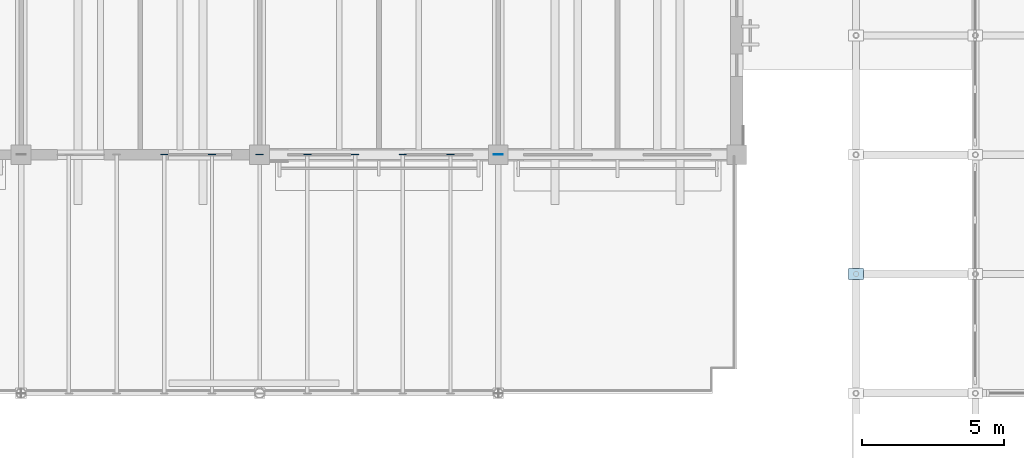
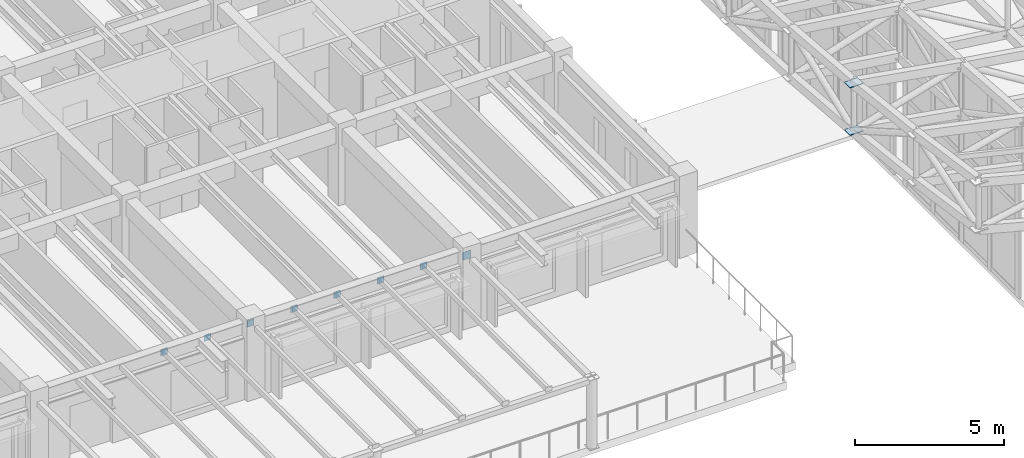
# One storey, part 76 of 111: 10 plates.
"""IFC4 building model written with IfcOpenShell, lengths in metres."""

from ifc_helpers import new_model, si_unit, direction, frame, origin, origin_2d, place, context, subcontext, project, spatial, rectangle, extrude, material, layer, layer_set, type_object, element, save


model = new_model("IFC4")

# Units and contexts
model_context = context("Model", 3, precision=1e-05, world=origin(), true_north=direction((0.0, 1.0)))
body_context = subcontext(model_context, "Body", "Model", "MODEL_VIEW")
ifc_project = project(units=[si_unit("LENGTHUNIT", "METRE"), si_unit("AREAUNIT", "SQUARE_METRE"), si_unit("VOLUMEUNIT", "CUBIC_METRE"), si_unit("PLANEANGLEUNIT", "RADIAN"), si_unit("MASSUNIT", "GRAM", prefix="KILO")], contexts=[model_context])

# Site, building, storey
site_placement = place(None, origin())
site = spatial("IfcSite", under=ifc_project, at=site_placement, CompositionType="ELEMENT")
building_placement = place(site_placement, origin())
building = spatial("IfcBuilding", under=site, at=building_placement, Name="Cumbredor Promenade Congress Hotel", CompositionType="ELEMENT")
storey_placement = place(building_placement, frame((0.0, 0.0, 15.1201171875)))
storey = spatial("IfcBuildingStorey", under=building, at=storey_placement, Name="L04", CompositionType="ELEMENT", Elevation=15.1201171875)

# Plates
ifc_material = material(Name="Steel ASTM A572 Grade 50", Category="steel")
ifc_layer_1 = layer(ifc_material, 0.030029296875, Name="Steel ASTM A572 Grade 50", Category="steel")
ifc_layer_set_1 = layer_set([ifc_layer_1], Name="Steel ASTM A572 Grade 50")
plate_type_1 = type_object("IfcPlateType", Name="Forum Truss Node Assembly ND-04", PredefinedType="USERDEFINED", material=ifc_layer_set_1)
for number, where, z_axis, x_axis, name in (
    (1, (88.199951171875, 88.199951171875, 7.93896484375), (0.0, 0.0, 1.0), (1.0, 0.0, 0.0), "Pre-Function and Breakout Meeting Forum Space Frame Top Node 1.3"),
    (2, (88.199951171875, 88.199951171875, 5.98876953125), (0.0, 0.0, 1.0), (1.0, 0.0, 0.0), "Pre-Function and Breakout Meeting Forum Space Frame Bottom Node 1.3"),
):
    element("IfcPlate", number, at=place(storey_placement, frame(where, z_axis=z_axis, x_axis=x_axis)), inside=storey, type_object=plate_type_1, Name=name, ObjectType="GUSSET PLATE", PredefinedType="USERDEFINED", context=body_context, shape_type="SweptSolid", body=[
        extrude(rectangle(XDim=0.52001953125, YDim=0.3798828125, at=origin_2d()), origin(), (0.0, 0.0, 1.0), 0.030029296875),
    ])
ifc_layer_2 = layer(ifc_material, 0.02001953125, Name="Steel ASTM A572 Grade 50", Category="steel")
ifc_layer_set_2 = layer_set([ifc_layer_2], Name="Steel ASTM A572 Grade 50")
plate_type_2 = type_object("IfcPlateType", Name="Hollow Section End Cap Plate CP-05", PredefinedType="USERDEFINED", material=ifc_layer_set_2)
plate_placement = place(storey_placement, frame((75.60009765625, 92.407958984375, 2.58984375), z_axis=(0.0, 0.0, 1.0), x_axis=(0.0, 1.0, 0.0)))
element("IfcPlate", 3, at=plate_placement, inside=storey, type_object=plate_type_2, Name="L04 Sky-Garden Pergola Tie Beam 2E End Cap Plate", ObjectType="CAP PLATE", PredefinedType="USERDEFINED", context=body_context, shape_type="SweptSolid", body=[
    extrude(rectangle(XDim=0.02001953125, YDim=0.320068359375, at=origin_2d()), origin(), (0.0, 0.0, 1.0), 0.320068359375),
])
ifc_layer_3 = layer(ifc_material, 0.02001953125, Name="Steel ASTM A572 Grade 50", Category="steel")
ifc_layer_set_3 = layer_set([ifc_layer_3], Name="Steel ASTM A572 Grade 50")
plate_type_3 = type_object("IfcPlateType", Name="Hollow Section End Cap Plate CP-06", PredefinedType="USERDEFINED", material=ifc_layer_set_3)
for number, where, z_axis, x_axis, name in (
    (4, (63.840087890625, 92.407958984375, 2.77001953125), (0.0, 0.0, 1.0), (0.0, 1.0, 0.0), "L04 Sky-Garden Trellis Slat 2.4 End Cap Plate"),
    (5, (65.52001953125, 92.407958984375, 2.77001953125), (0.0, 0.0, 1.0), (0.0, 1.0, 0.0), "L04 Sky-Garden Trellis Slat 2.5 End Cap Plate"),
    (6, (67.199951171875, 92.407958984375, 2.77001953125), (0.0, 0.0, 1.0), (0.0, 1.0, 0.0), "L04 Sky-Garden Trellis Slat 2.6 End Cap Plate"),
    (7, (68.8798828125, 92.407958984375, 2.77001953125), (0.0, 0.0, 1.0), (0.0, 1.0, 0.0), "L04 Sky-Garden Trellis Slat 2.7 End Cap Plate"),
    (8, (70.56005859375, 92.407958984375, 2.77001953125), (0.0, 0.0, 1.0), (0.0, 1.0, 0.0), "L04 Sky-Garden Trellis Slat 2.8 End Cap Plate"),
    (9, (72.239990234375, 92.407958984375, 2.77001953125), (0.0, 0.0, 1.0), (0.0, 1.0, 0.0), "L04 Sky-Garden Trellis Slat 2.9 End Cap Plate"),
    (10, (73.919921875, 92.407958984375, 2.77001953125), (0.0, 0.0, 1.0), (0.0, 1.0, 0.0), "L04 Sky-Garden Trellis Slat 2.10 End Cap Plate"),
):
    element("IfcPlate", number, at=place(storey_placement, frame(where, z_axis=z_axis, x_axis=x_axis)), inside=storey, type_object=plate_type_3, Name=name, ObjectType="CAP PLATE", PredefinedType="USERDEFINED", context=body_context, shape_type="SweptSolid", body=[
        extrude(rectangle(XDim=0.02001953125, YDim=0.260009765625, at=origin_2d()), origin(), (0.0, 0.0, 1.0), 0.260009765625),
    ])

save(model, "model.ifc")
